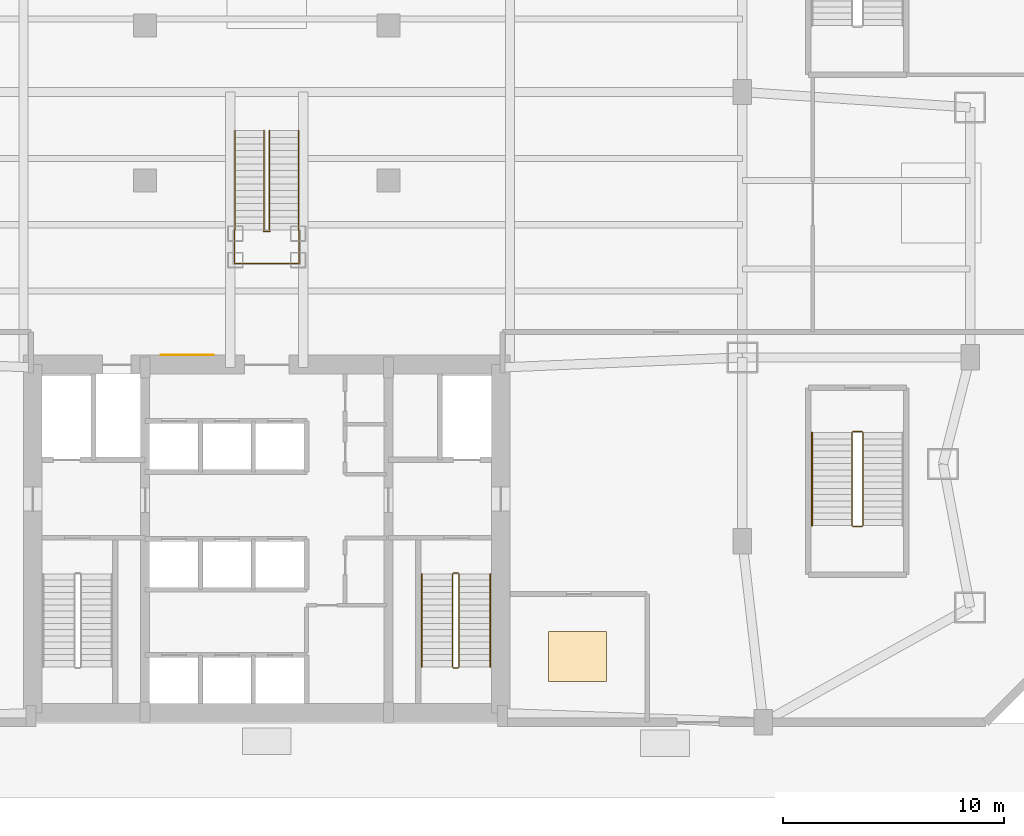
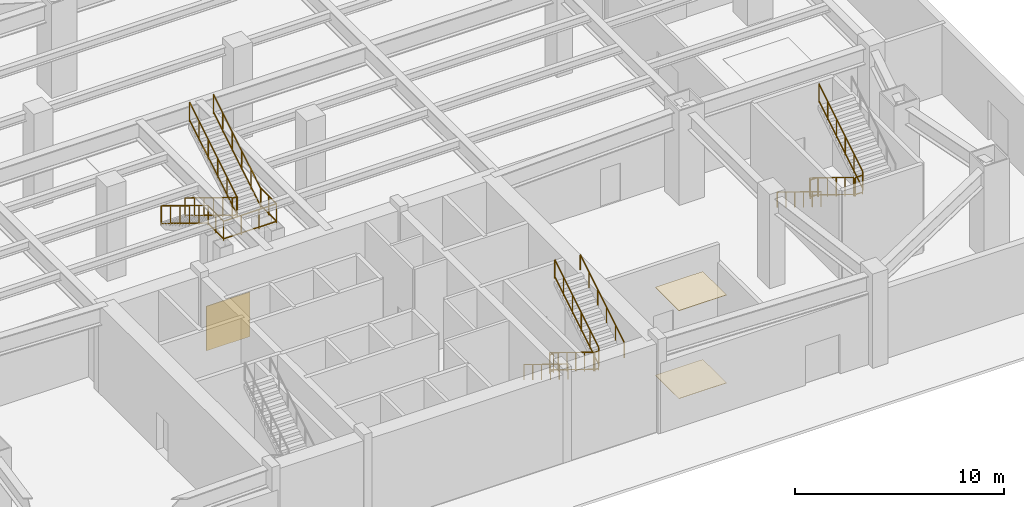
# One storey, part 10 of 11: 17 railings, 3 coverings.
"""IFC4 building model written with IfcOpenShell, lengths in metres."""

from ifc_helpers import new_model, si_unit, direction, frame, origin, origin_2d, place, context, subcontext, project, spatial, rectangle, extrude, source, transform, mapped, material, layer, layer_set, type_object, type_shapes, element, save


model = new_model("IFC4")

# Units and contexts
model_context = context("Model", 3, precision=1e-05, world=origin(), true_north=direction((0.0, 1.0)))
body_context = subcontext(model_context, "Body", "Model", "MODEL_VIEW")
ifc_project = project(units=[si_unit("LENGTHUNIT", "METRE"), si_unit("AREAUNIT", "SQUARE_METRE"), si_unit("VOLUMEUNIT", "CUBIC_METRE"), si_unit("PLANEANGLEUNIT", "RADIAN"), si_unit("MASSUNIT", "GRAM", prefix="KILO")], contexts=[model_context])

# Site, building, storey
site_placement = place(None, origin())
site = spatial("IfcSite", under=ifc_project, at=site_placement, CompositionType="ELEMENT")
building_placement = place(site_placement, origin())
building = spatial("IfcBuilding", under=site, at=building_placement, Name="Varnakhor Terracotta Tower", CompositionType="ELEMENT")
storey_placement = place(building_placement, origin())
storey = spatial("IfcBuildingStorey", under=building, at=storey_placement, Name="L00", CompositionType="ELEMENT", Elevation=0.0)

# Railings
ifc_material_1 = material(Name="Painted Steel Stairwell Guardrail", Category="steel")
railing_type_1 = type_object("IfcRailingType", Name="RLG-STAIR-GUARD-1120", PredefinedType="GUARDRAIL", material=ifc_material_1)
railing_1_placement = place(storey_placement, frame((8.39990234375, 6.7099609375, 0.171875)))
element("IfcRailing", 1, at=railing_1_placement, inside=storey, type_object=railing_type_1, Name="L00 ST-2 stair guard 1", PredefinedType="GUARDRAIL", context=body_context, shape_type="SweptSolid", body=[
    extrude(rectangle(XDim=0.048095703125, YDim=0.048095703125, at=origin_2d()), frame((0.0, 0.0, 1.09619140625), z_axis=(0.0, -0.852242915053, 0.523146264196), x_axis=(1.0, 0.0, 0.0)), (0.0, 0.0, 1.0), 4.92822265625),
    extrude(rectangle(XDim=0.048095703125, YDim=0.048095703125, at=origin_2d()), frame((0.0, 0.0, 0.10009765625), z_axis=(0.0, -0.852242915053, 0.523146264196), x_axis=(1.0, 0.0, 0.0)), (0.0, 0.0, 1.0), 4.92822265625),
    extrude(rectangle(XDim=0.0419921875, YDim=0.0419921875, at=origin_2d()), origin(), (0.0, 0.0, 1.0), 1.072021484375),
    extrude(rectangle(XDim=0.0419921875, YDim=0.0419921875, at=origin_2d()), frame((0.0, -0.840087890625, 0.515625)), (0.0, 0.0, 1.0), 1.072021484375),
    extrude(rectangle(XDim=0.0419921875, YDim=0.0419921875, at=origin_2d()), frame((0.0, -1.679931640625, 1.03125)), (0.0, 0.0, 1.0), 1.072021484375),
    extrude(rectangle(XDim=0.0419921875, YDim=0.0419921875, at=origin_2d()), frame((0.0, -2.52001953125, 1.546875)), (0.0, 0.0, 1.0), 1.072021484375),
    extrude(rectangle(XDim=0.0419921875, YDim=0.0419921875, at=origin_2d()), frame((0.0, -3.35986328125, 2.0625)), (0.0, 0.0, 1.0), 1.072021484375),
    extrude(rectangle(XDim=0.0419921875, YDim=0.0419921875, at=origin_2d()), frame((0.0, -4.199951171875, 2.578125)), (0.0, 0.0, 1.0), 1.072021484375),
])
railing_2_placement = place(storey_placement, frame((8.449951171875, 2.4599609375, 2.75)))
element("IfcRailing", 2, at=railing_2_placement, inside=storey, type_object=railing_type_1, Name="L00 ST-2 stair guard 2", PredefinedType="GUARDRAIL", context=body_context, shape_type="SweptSolid", body=[
    extrude(rectangle(XDim=0.048095703125, YDim=0.048095703125, at=origin_2d()), frame((0.0, 0.0, 1.09619140625), z_axis=(1.0, 0.0, 0.0), x_axis=(0.0, 1.0, 0.0)), (0.0, 0.0, 1.0), 0.199951171875),
    extrude(rectangle(XDim=0.048095703125, YDim=0.048095703125, at=origin_2d()), frame((0.0, 0.0, 0.10009765625), z_axis=(1.0, 0.0, 0.0), x_axis=(0.0, 1.0, 0.0)), (0.0, 0.0, 1.0), 0.199951171875),
    extrude(rectangle(XDim=0.0419921875, YDim=0.0419921875, at=origin_2d()), origin(), (0.0, 0.0, 1.0), 1.072021484375),
    extrude(rectangle(XDim=0.0419921875, YDim=0.0419921875, at=origin_2d()), frame((0.199951171875, 0.0, 0.0)), (0.0, 0.0, 1.0), 1.072021484375),
])
railing_3_placement = place(storey_placement, frame((8.699951171875, 2.510009765625, 2.921875)))
element("IfcRailing", 3, at=railing_3_placement, inside=storey, type_object=railing_type_1, Name="L00 ST-2 stair guard 3", PredefinedType="GUARDRAIL", context=body_context, shape_type="SweptSolid", body=[
    extrude(rectangle(XDim=0.048095703125, YDim=0.048095703125, at=origin_2d()), frame((0.0, 0.0, 1.09619140625), z_axis=(0.0, 0.852242915053, 0.523146264196), x_axis=(-1.0, 0.0, 0.0)), (0.0, 0.0, 1.0), 4.92822265625),
    extrude(rectangle(XDim=0.048095703125, YDim=0.048095703125, at=origin_2d()), frame((0.0, 0.0, 0.10009765625), z_axis=(0.0, 0.852242915053, 0.523146264196), x_axis=(-1.0, 0.0, 0.0)), (0.0, 0.0, 1.0), 4.92822265625),
    extrude(rectangle(XDim=0.0419921875, YDim=0.0419921875, at=origin_2d()), origin(), (0.0, 0.0, 1.0), 1.072021484375),
    extrude(rectangle(XDim=0.0419921875, YDim=0.0419921875, at=origin_2d()), frame((0.0, 0.840087890625, 0.515625)), (0.0, 0.0, 1.0), 1.072021484375),
    extrude(rectangle(XDim=0.0419921875, YDim=0.0419921875, at=origin_2d()), frame((0.0, 1.679931640625, 1.03125)), (0.0, 0.0, 1.0), 1.072021484375),
    extrude(rectangle(XDim=0.0419921875, YDim=0.0419921875, at=origin_2d()), frame((0.0, 2.52001953125, 1.546875)), (0.0, 0.0, 1.0), 1.072021484375),
    extrude(rectangle(XDim=0.0419921875, YDim=0.0419921875, at=origin_2d()), frame((0.0, 3.35986328125, 2.0625)), (0.0, 0.0, 1.0), 1.072021484375),
    extrude(rectangle(XDim=0.0419921875, YDim=0.0419921875, at=origin_2d()), frame((0.0, 4.199951171875, 2.578125)), (0.0, 0.0, 1.0), 1.072021484375),
])
railing_4_placement = place(storey_placement, frame((8.449951171875, 6.760009765625, 0.0)))
element("IfcRailing", 4, at=railing_4_placement, inside=storey, type_object=railing_type_1, Name="L00 ST-2 stair guard 4", PredefinedType="GUARDRAIL", context=body_context, shape_type="SweptSolid", body=[
    extrude(rectangle(XDim=0.048095703125, YDim=0.048095703125, at=origin_2d()), frame((0.0, 0.0, 1.09619140625), z_axis=(1.0, 0.0, 0.0), x_axis=(0.0, 1.0, 0.0)), (0.0, 0.0, 1.0), 0.199951171875),
    extrude(rectangle(XDim=0.048095703125, YDim=0.048095703125, at=origin_2d()), frame((0.0, 0.0, 0.10009765625), z_axis=(1.0, 0.0, 0.0), x_axis=(0.0, 1.0, 0.0)), (0.0, 0.0, 1.0), 0.199951171875),
    extrude(rectangle(XDim=0.0419921875, YDim=0.0419921875, at=origin_2d()), origin(), (0.0, 0.0, 1.0), 1.072021484375),
    extrude(rectangle(XDim=0.0419921875, YDim=0.0419921875, at=origin_2d()), frame((0.199951171875, 0.0, 0.0)), (0.0, 0.0, 1.0), 1.072021484375),
])
railing_5_placement = place(storey_placement, frame((26.449951171875, 13.10009765625, 0.171875)))
element("IfcRailing", 5, at=railing_5_placement, inside=storey, type_object=railing_type_1, Name="L00 ST-P2 stair guard 1", PredefinedType="GUARDRAIL", context=body_context, shape_type="SweptSolid", body=[
    extrude(rectangle(XDim=0.048095703125, YDim=0.048095703125, at=origin_2d()), frame((0.0, 0.0, 1.09619140625), z_axis=(0.0, -0.852256472501, 0.523124177495), x_axis=(1.0, 0.0, 0.0)), (0.0, 0.0, 1.0), 4.92822265625),
    extrude(rectangle(XDim=0.048095703125, YDim=0.048095703125, at=origin_2d()), frame((0.0, 0.0, 0.10009765625), z_axis=(0.0, -0.852256472501, 0.523124177495), x_axis=(1.0, 0.0, 0.0)), (0.0, 0.0, 1.0), 4.92822265625),
    extrude(rectangle(XDim=0.0419921875, YDim=0.0419921875, at=origin_2d()), origin(), (0.0, 0.0, 1.0), 1.072021484375),
    extrude(rectangle(XDim=0.0419921875, YDim=0.0419921875, at=origin_2d()), frame((0.0, -0.840087890625, 0.515625)), (0.0, 0.0, 1.0), 1.072021484375),
    extrude(rectangle(XDim=0.0419921875, YDim=0.0419921875, at=origin_2d()), frame((0.0, -1.68017578125, 1.03125)), (0.0, 0.0, 1.0), 1.072021484375),
    extrude(rectangle(XDim=0.0419921875, YDim=0.0419921875, at=origin_2d()), frame((0.0, -2.52001953125, 1.546875)), (0.0, 0.0, 1.0), 1.072021484375),
    extrude(rectangle(XDim=0.0419921875, YDim=0.0419921875, at=origin_2d()), frame((0.0, -3.360107421875, 2.0625)), (0.0, 0.0, 1.0), 1.072021484375),
    extrude(rectangle(XDim=0.0419921875, YDim=0.0419921875, at=origin_2d()), frame((0.0, -4.2001953125, 2.578125)), (0.0, 0.0, 1.0), 1.072021484375),
])
railing_6_placement = place(storey_placement, frame((26.5, 8.85009765625, 2.75)))
element("IfcRailing", 6, at=railing_6_placement, inside=storey, type_object=railing_type_1, Name="L00 ST-P2 stair guard 2", PredefinedType="GUARDRAIL", context=body_context, shape_type="SweptSolid", body=[
    extrude(rectangle(XDim=0.048095703125, YDim=0.048095703125, at=origin_2d()), frame((0.0, 0.0, 1.09619140625), z_axis=(1.0, 0.0, 0.0), x_axis=(0.0, 1.0, 0.0)), (0.0, 0.0, 1.0), 0.39990234375),
    extrude(rectangle(XDim=0.048095703125, YDim=0.048095703125, at=origin_2d()), frame((0.0, 0.0, 0.10009765625), z_axis=(1.0, 0.0, 0.0), x_axis=(0.0, 1.0, 0.0)), (0.0, 0.0, 1.0), 0.39990234375),
    extrude(rectangle(XDim=0.0419921875, YDim=0.0419921875, at=origin_2d()), origin(), (0.0, 0.0, 1.0), 1.072021484375),
    extrude(rectangle(XDim=0.0419921875, YDim=0.0419921875, at=origin_2d()), frame((0.39990234375, 0.0, 0.0)), (0.0, 0.0, 1.0), 1.072021484375),
])
railing_7_placement = place(storey_placement, frame((26.949951171875, 8.89990234375, 2.921875)))
element("IfcRailing", 7, at=railing_7_placement, inside=storey, type_object=railing_type_1, Name="L00 ST-P2 stair guard 3", PredefinedType="GUARDRAIL", context=body_context, shape_type="SweptSolid", body=[
    extrude(rectangle(XDim=0.048095703125, YDim=0.048095703125, at=origin_2d()), frame((0.0, 0.0, 1.09619140625), z_axis=(0.0, 0.852256472501, 0.523124177495), x_axis=(-1.0, 0.0, 0.0)), (0.0, 0.0, 1.0), 4.92822265625),
    extrude(rectangle(XDim=0.048095703125, YDim=0.048095703125, at=origin_2d()), frame((0.0, 0.0, 0.10009765625), z_axis=(0.0, 0.852256472501, 0.523124177495), x_axis=(-1.0, 0.0, 0.0)), (0.0, 0.0, 1.0), 4.92822265625),
    extrude(rectangle(XDim=0.0419921875, YDim=0.0419921875, at=origin_2d()), origin(), (0.0, 0.0, 1.0), 1.072021484375),
    extrude(rectangle(XDim=0.0419921875, YDim=0.0419921875, at=origin_2d()), frame((0.0, 0.840087890625, 0.515625)), (0.0, 0.0, 1.0), 1.072021484375),
    extrude(rectangle(XDim=0.0419921875, YDim=0.0419921875, at=origin_2d()), frame((0.0, 1.68017578125, 1.03125)), (0.0, 0.0, 1.0), 1.072021484375),
    extrude(rectangle(XDim=0.0419921875, YDim=0.0419921875, at=origin_2d()), frame((0.0, 2.52001953125, 1.546875)), (0.0, 0.0, 1.0), 1.072021484375),
    extrude(rectangle(XDim=0.0419921875, YDim=0.0419921875, at=origin_2d()), frame((0.0, 3.360107421875, 2.0625)), (0.0, 0.0, 1.0), 1.072021484375),
    extrude(rectangle(XDim=0.0419921875, YDim=0.0419921875, at=origin_2d()), frame((0.0, 4.2001953125, 2.578125)), (0.0, 0.0, 1.0), 1.072021484375),
])
railing_8_placement = place(storey_placement, frame((26.5, 13.14990234375, 0.0)))
element("IfcRailing", 8, at=railing_8_placement, inside=storey, type_object=railing_type_1, Name="L00 ST-P2 stair guard 4", PredefinedType="GUARDRAIL", context=body_context, shape_type="SweptSolid", body=[
    extrude(rectangle(XDim=0.048095703125, YDim=0.048095703125, at=origin_2d()), frame((0.0, 0.0, 1.09619140625), z_axis=(1.0, 0.0, 0.0), x_axis=(0.0, 1.0, 0.0)), (0.0, 0.0, 1.0), 0.39990234375),
    extrude(rectangle(XDim=0.048095703125, YDim=0.048095703125, at=origin_2d()), frame((0.0, 0.0, 0.10009765625), z_axis=(1.0, 0.0, 0.0), x_axis=(0.0, 1.0, 0.0)), (0.0, 0.0, 1.0), 0.39990234375),
    extrude(rectangle(XDim=0.0419921875, YDim=0.0419921875, at=origin_2d()), origin(), (0.0, 0.0, 1.0), 1.072021484375),
    extrude(rectangle(XDim=0.0419921875, YDim=0.0419921875, at=origin_2d()), frame((0.39990234375, 0.0, 0.0)), (0.0, 0.0, 1.0), 1.072021484375),
])
for number, where, name in (
    (9, (-1.43994140625, 26.75, 0.0), "Feature Stair ST-F1 Guard 1"),
    (10, (-0.1201171875, 26.75, 0.0), "Feature Stair ST-F1 Guard 2"),
):
    element("IfcRailing", number, at=place(storey_placement, frame(where)), inside=storey, type_object=railing_type_1, Name=name, PredefinedType="GUARDRAIL", context=body_context, shape_type="SweptSolid", body=[
        extrude(rectangle(XDim=0.048095703125, YDim=0.048095703125, at=origin_2d()), frame((0.0, 0.0, 1.1259765625), z_axis=(0.0, -0.853281833652, 0.521450009454), x_axis=(1.0, 0.0, 0.0)), (0.0, 0.0, 1.0), 5.273681640625),
        extrude(rectangle(XDim=0.048095703125, YDim=0.048095703125, at=origin_2d()), frame((0.0, 0.0, 0.10009765625), z_axis=(0.0, -0.853281833652, 0.521450009454), x_axis=(1.0, 0.0, 0.0)), (0.0, 0.0, 1.0), 5.273681640625),
        extrude(rectangle(XDim=0.0419921875, YDim=0.0419921875, at=origin_2d()), origin(), (0.0, 0.0, 1.0), 1.101806640625),
        extrude(rectangle(XDim=0.0419921875, YDim=0.0419921875, at=origin_2d()), frame((0.0, -0.89990234375, 0.550048828125)), (0.0, 0.0, 1.0), 1.101806640625),
        extrude(rectangle(XDim=0.0419921875, YDim=0.0419921875, at=origin_2d()), frame((0.0, -1.800048828125, 1.10009765625)), (0.0, 0.0, 1.0), 1.101806640625),
        extrude(rectangle(XDim=0.0419921875, YDim=0.0419921875, at=origin_2d()), frame((0.0, -2.699951171875, 1.64990234375)), (0.0, 0.0, 1.0), 1.101806640625),
        extrude(rectangle(XDim=0.0419921875, YDim=0.0419921875, at=origin_2d()), frame((0.0, -3.60009765625, 2.199951171875)), (0.0, 0.0, 1.0), 1.101806640625),
        extrude(rectangle(XDim=0.0419921875, YDim=0.0419921875, at=origin_2d()), frame((0.0, -4.5, 2.75)), (0.0, 0.0, 1.0), 1.101806640625),
    ])
for number, where, name in (
    (11, (0.1201171875, 22.25, 2.75), "Feature Stair ST-F1 Guard 3"),
    (12, (1.43994140625, 22.25, 2.75), "Feature Stair ST-F1 Guard 4"),
):
    element("IfcRailing", number, at=place(storey_placement, frame(where)), inside=storey, type_object=railing_type_1, Name=name, PredefinedType="GUARDRAIL", context=body_context, shape_type="SweptSolid", body=[
        extrude(rectangle(XDim=0.048095703125, YDim=0.048095703125, at=origin_2d()), frame((0.0, 0.0, 1.1259765625), z_axis=(0.0, 0.853281833652, 0.521450009454), x_axis=(-1.0, 0.0, 0.0)), (0.0, 0.0, 1.0), 5.273681640625),
        extrude(rectangle(XDim=0.048095703125, YDim=0.048095703125, at=origin_2d()), frame((0.0, 0.0, 0.10009765625), z_axis=(0.0, 0.853281833652, 0.521450009454), x_axis=(-1.0, 0.0, 0.0)), (0.0, 0.0, 1.0), 5.273681640625),
        extrude(rectangle(XDim=0.0419921875, YDim=0.0419921875, at=origin_2d()), origin(), (0.0, 0.0, 1.0), 1.101806640625),
        extrude(rectangle(XDim=0.0419921875, YDim=0.0419921875, at=origin_2d()), frame((0.0, 0.89990234375, 0.550048828125)), (0.0, 0.0, 1.0), 1.101806640625),
        extrude(rectangle(XDim=0.0419921875, YDim=0.0419921875, at=origin_2d()), frame((0.0, 1.800048828125, 1.10009765625)), (0.0, 0.0, 1.0), 1.101806640625),
        extrude(rectangle(XDim=0.0419921875, YDim=0.0419921875, at=origin_2d()), frame((0.0, 2.699951171875, 1.64990234375)), (0.0, 0.0, 1.0), 1.101806640625),
        extrude(rectangle(XDim=0.0419921875, YDim=0.0419921875, at=origin_2d()), frame((0.0, 3.60009765625, 2.199951171875)), (0.0, 0.0, 1.0), 1.101806640625),
        extrude(rectangle(XDim=0.0419921875, YDim=0.0419921875, at=origin_2d()), frame((0.0, 4.5, 2.75)), (0.0, 0.0, 1.0), 1.101806640625),
    ])
railing_9_placement = place(storey_placement, frame((-1.4599609375, 22.25, 2.75)))
element("IfcRailing", 13, at=railing_9_placement, inside=storey, type_object=railing_type_1, Name="Feature Stair ST-F1 Guard 5", PredefinedType="GUARDRAIL", context=body_context, shape_type="SweptSolid", body=[
    extrude(rectangle(XDim=0.048095703125, YDim=0.048095703125, at=origin_2d()), frame((0.0, 0.0, 1.1259765625), z_axis=(0.0, -1.0, 0.0), x_axis=(1.0, 0.0, 0.0)), (0.0, 0.0, 1.0), 1.5),
    extrude(rectangle(XDim=0.048095703125, YDim=0.048095703125, at=origin_2d()), frame((0.0, 0.0, 0.10009765625), z_axis=(0.0, -1.0, 0.0), x_axis=(1.0, 0.0, 0.0)), (0.0, 0.0, 1.0), 1.5),
    extrude(rectangle(XDim=0.048095703125, YDim=0.048095703125, at=origin_2d()), frame((0.0, -1.5, 1.1259765625), z_axis=(1.0, 0.0, 0.0), x_axis=(0.0, 1.0, 0.0)), (0.0, 0.0, 1.0), 2.919921875),
    extrude(rectangle(XDim=0.048095703125, YDim=0.048095703125, at=origin_2d()), frame((0.0, -1.5, 0.10009765625), z_axis=(1.0, 0.0, 0.0), x_axis=(0.0, 1.0, 0.0)), (0.0, 0.0, 1.0), 2.919921875),
    extrude(rectangle(XDim=0.048095703125, YDim=0.048095703125, at=origin_2d()), frame((2.919921875, -1.5, 1.1259765625), z_axis=(0.0, 1.0, 0.0), x_axis=(-1.0, 0.0, 0.0)), (0.0, 0.0, 1.0), 1.5),
    extrude(rectangle(XDim=0.048095703125, YDim=0.048095703125, at=origin_2d()), frame((2.919921875, -1.5, 0.10009765625), z_axis=(0.0, 1.0, 0.0), x_axis=(-1.0, 0.0, 0.0)), (0.0, 0.0, 1.0), 1.5),
    extrude(rectangle(XDim=0.0419921875, YDim=0.0419921875, at=origin_2d()), origin(), (0.0, 0.0, 1.0), 1.101806640625),
    extrude(rectangle(XDim=0.0419921875, YDim=0.0419921875, at=origin_2d()), frame((0.0, -0.75, 0.0)), (0.0, 0.0, 1.0), 1.101806640625),
    extrude(rectangle(XDim=0.0419921875, YDim=0.0419921875, at=origin_2d()), frame((0.0, -1.5, 0.0)), (0.0, 0.0, 1.0), 1.101806640625),
    extrude(rectangle(XDim=0.0419921875, YDim=0.0419921875, at=origin_2d()), frame((0.973388671875, -1.5, 0.0)), (0.0, 0.0, 1.0), 1.101806640625),
    extrude(rectangle(XDim=0.0419921875, YDim=0.0419921875, at=origin_2d()), frame((1.946533203125, -1.5, 0.0)), (0.0, 0.0, 1.0), 1.101806640625),
    extrude(rectangle(XDim=0.0419921875, YDim=0.0419921875, at=origin_2d()), frame((2.919921875, -1.5, 0.0)), (0.0, 0.0, 1.0), 1.101806640625),
    extrude(rectangle(XDim=0.0419921875, YDim=0.0419921875, at=origin_2d()), frame((2.919921875, -0.75, 0.0)), (0.0, 0.0, 1.0), 1.101806640625),
    extrude(rectangle(XDim=0.0419921875, YDim=0.0419921875, at=origin_2d()), frame((2.919921875, 0.0, 0.0)), (0.0, 0.0, 1.0), 1.101806640625),
])
railing_10_placement = place(storey_placement, frame((-0.139892578125, 22.199951171875, 2.75)))
element("IfcRailing", 14, at=railing_10_placement, inside=storey, type_object=railing_type_1, Name="Feature Stair ST-F1 Guard 6", PredefinedType="GUARDRAIL", context=body_context, shape_type="SweptSolid", body=[
    extrude(rectangle(XDim=0.048095703125, YDim=0.048095703125, at=origin_2d()), frame((0.0, 0.0, 1.1259765625), z_axis=(1.0, 0.0, 0.0), x_axis=(0.0, 1.0, 0.0)), (0.0, 0.0, 1.0), 0.27978515625),
    extrude(rectangle(XDim=0.048095703125, YDim=0.048095703125, at=origin_2d()), frame((0.0, 0.0, 0.10009765625), z_axis=(1.0, 0.0, 0.0), x_axis=(0.0, 1.0, 0.0)), (0.0, 0.0, 1.0), 0.27978515625),
    extrude(rectangle(XDim=0.0419921875, YDim=0.0419921875, at=origin_2d()), origin(), (0.0, 0.0, 1.0), 1.101806640625),
    extrude(rectangle(XDim=0.0419921875, YDim=0.0419921875, at=origin_2d()), frame((0.27978515625, 0.0, 0.0)), (0.0, 0.0, 1.0), 1.101806640625),
])
ifc_material_2 = material(Name="Brushed Stainless Steel Handrail", Category="steel")
railing_type_2 = type_object("IfcRailingType", Name="RLG-STAIR-HANDRAIL-920", PredefinedType="HANDRAIL", material=ifc_material_2)
railing_11_placement = place(storey_placement, frame((7.0, 6.7099609375, 0.171875)))
element("IfcRailing", 15, at=railing_11_placement, inside=storey, type_object=railing_type_2, Name="L00 ST-2 stair handrail 1", PredefinedType="HANDRAIL", context=body_context, shape_type="SweptSolid", body=[
    extrude(rectangle(XDim=0.048095703125, YDim=0.048095703125, at=origin_2d()), frame((0.0, 0.0, 0.89599609375), z_axis=(0.0, -0.852242915053, 0.523146264196), x_axis=(1.0, 0.0, 0.0)), (0.0, 0.0, 1.0), 4.92822265625),
    extrude(rectangle(XDim=0.0419921875, YDim=0.0419921875, at=origin_2d()), origin(), (0.0, 0.0, 1.0), 0.871826171875),
    extrude(rectangle(XDim=0.0419921875, YDim=0.0419921875, at=origin_2d()), frame((0.0, -0.840087890625, 0.515625)), (0.0, 0.0, 1.0), 0.871826171875),
    extrude(rectangle(XDim=0.0419921875, YDim=0.0419921875, at=origin_2d()), frame((0.0, -1.679931640625, 1.03125)), (0.0, 0.0, 1.0), 0.871826171875),
    extrude(rectangle(XDim=0.0419921875, YDim=0.0419921875, at=origin_2d()), frame((0.0, -2.52001953125, 1.546875)), (0.0, 0.0, 1.0), 0.871826171875),
    extrude(rectangle(XDim=0.0419921875, YDim=0.0419921875, at=origin_2d()), frame((0.0, -3.35986328125, 2.0625)), (0.0, 0.0, 1.0), 0.871826171875),
    extrude(rectangle(XDim=0.0419921875, YDim=0.0419921875, at=origin_2d()), frame((0.0, -4.199951171875, 2.578125)), (0.0, 0.0, 1.0), 0.871826171875),
])
railing_12_placement = place(storey_placement, frame((10.10009765625, 2.510009765625, 2.921875)))
element("IfcRailing", 16, at=railing_12_placement, inside=storey, type_object=railing_type_2, Name="L00 ST-2 stair handrail 2", PredefinedType="HANDRAIL", context=body_context, shape_type="SweptSolid", body=[
    extrude(rectangle(XDim=0.048095703125, YDim=0.048095703125, at=origin_2d()), frame((0.0, 0.0, 0.89599609375), z_axis=(0.0, 0.852242915053, 0.523146264196), x_axis=(-1.0, 0.0, 0.0)), (0.0, 0.0, 1.0), 4.92822265625),
    extrude(rectangle(XDim=0.0419921875, YDim=0.0419921875, at=origin_2d()), origin(), (0.0, 0.0, 1.0), 0.871826171875),
    extrude(rectangle(XDim=0.0419921875, YDim=0.0419921875, at=origin_2d()), frame((0.0, 0.840087890625, 0.515625)), (0.0, 0.0, 1.0), 0.871826171875),
    extrude(rectangle(XDim=0.0419921875, YDim=0.0419921875, at=origin_2d()), frame((0.0, 1.679931640625, 1.03125)), (0.0, 0.0, 1.0), 0.871826171875),
    extrude(rectangle(XDim=0.0419921875, YDim=0.0419921875, at=origin_2d()), frame((0.0, 2.52001953125, 1.546875)), (0.0, 0.0, 1.0), 0.871826171875),
    extrude(rectangle(XDim=0.0419921875, YDim=0.0419921875, at=origin_2d()), frame((0.0, 3.35986328125, 2.0625)), (0.0, 0.0, 1.0), 0.871826171875),
    extrude(rectangle(XDim=0.0419921875, YDim=0.0419921875, at=origin_2d()), frame((0.0, 4.199951171875, 2.578125)), (0.0, 0.0, 1.0), 0.871826171875),
])
railing_13_placement = place(storey_placement, frame((24.64990234375, 13.10009765625, 0.171875)))
element("IfcRailing", 17, at=railing_13_placement, inside=storey, type_object=railing_type_2, Name="L00 ST-P2 stair handrail 1", PredefinedType="HANDRAIL", context=body_context, shape_type="SweptSolid", body=[
    extrude(rectangle(XDim=0.048095703125, YDim=0.048095703125, at=origin_2d()), frame((0.0, 0.0, 0.89599609375), z_axis=(0.0, -0.852256472501, 0.523124177495), x_axis=(1.0, 0.0, 0.0)), (0.0, 0.0, 1.0), 4.92822265625),
    extrude(rectangle(XDim=0.0419921875, YDim=0.0419921875, at=origin_2d()), origin(), (0.0, 0.0, 1.0), 0.871826171875),
    extrude(rectangle(XDim=0.0419921875, YDim=0.0419921875, at=origin_2d()), frame((0.0, -0.840087890625, 0.515625)), (0.0, 0.0, 1.0), 0.871826171875),
    extrude(rectangle(XDim=0.0419921875, YDim=0.0419921875, at=origin_2d()), frame((0.0, -1.68017578125, 1.03125)), (0.0, 0.0, 1.0), 0.871826171875),
    extrude(rectangle(XDim=0.0419921875, YDim=0.0419921875, at=origin_2d()), frame((0.0, -2.52001953125, 1.546875)), (0.0, 0.0, 1.0), 0.871826171875),
    extrude(rectangle(XDim=0.0419921875, YDim=0.0419921875, at=origin_2d()), frame((0.0, -3.360107421875, 2.0625)), (0.0, 0.0, 1.0), 0.871826171875),
    extrude(rectangle(XDim=0.0419921875, YDim=0.0419921875, at=origin_2d()), frame((0.0, -4.2001953125, 2.578125)), (0.0, 0.0, 1.0), 0.871826171875),
])

# Coverings
ifc_material_3 = material(Name="Extruded Architectural Terracotta Cladding", Category="masonry")
ifc_layer_1 = layer(ifc_material_3, 0.044921875, Name="Extruded Architectural Terracotta Cladding")
ifc_layer_set_1 = layer_set([ifc_layer_1], Name="Extruded Architectural Terracotta Cladding")
covering_type_1 = type_object("IfcCoveringType", Name="COV-CLAD-TERRACOTTA", PredefinedType="CLADDING", material=ifc_layer_set_1)
shared_shape_1 = source(origin(), body_context, "Body", "SweptSolid", [
    extrude(rectangle(XDim=2.39990234375, YDim=0.030029296875, at=origin_2d()), origin(), (0.0, 0.0, 1.0), 2.60009765625),
])
type_shapes(covering_type_1, [shared_shape_1])
covering_1_placement = place(storey_placement, frame((-3.60009765625, 16.612060546875, 0.0), z_axis=(0.0, 0.0, 1.0), x_axis=(1.0, 0.0, 0.0)))
element("IfcCovering", 18, at=covering_1_placement, inside=storey, type_object=covering_type_1, Name="L00 Core Lobby Limestone Cladding", PredefinedType="CLADDING", context=body_context, shape_type="MappedRepresentation", body=[
    mapped(shared_shape_1, transform((0.0, 0.0, 0.0), scale=1.0)),
])
ifc_material_4 = material(Name="Honed Riyadh Limestone Flooring", Category="masonry")
ifc_layer_2 = layer(ifc_material_4, 0.030029296875, Name="Honed Riyadh Limestone Flooring")
ifc_layer_set_2 = layer_set([ifc_layer_2], Name="Honed Riyadh Limestone Flooring")
covering_type_2 = type_object("IfcCoveringType", Name="COV-FLOOR-LIMESTONE", PredefinedType="FLOORING", material=ifc_layer_set_2)
shared_shape_2 = source(origin(), body_context, "Body", "SweptSolid", [
    extrude(rectangle(XDim=2.6201171875, YDim=2.257080078125, at=origin_2d()), origin(), (0.0, 0.0, 1.0), 0.02001953125),
])
covering_2_placement = place(storey_placement, frame((14.052001953125, 2.98193359375, 0.0), z_axis=(0.0, 0.0, 1.0), x_axis=(1.0, 0.0, 0.0)))
element("IfcCovering", 19, at=covering_2_placement, inside=storey, type_object=covering_type_2, Name="L00 Honed Stone Flooring 1", PredefinedType="FLOORING", context=body_context, shape_type="MappedRepresentation", body=[
    mapped(shared_shape_2, transform((0.0, 0.0, 0.0), scale=1.0)),
])
ifc_material_5 = material(Name="Perforated Acoustic Mineral-Fibre Ceiling", Category="gypsum")
ifc_layer_3 = layer(ifc_material_5, 0.02490234375, Name="Perforated Acoustic Mineral-Fibre Ceiling")
ifc_layer_set_3 = layer_set([ifc_layer_3], Name="Perforated Acoustic Mineral-Fibre Ceiling")
covering_type_3 = type_object("IfcCoveringType", Name="COV-CEILING-ACOUSTIC", PredefinedType="CEILING", material=ifc_layer_set_3)
shared_shape_3 = source(origin(), body_context, "Body", "SweptSolid", [
    extrude(rectangle(XDim=2.6201171875, YDim=2.257080078125, at=origin_2d()), origin(), (0.0, 0.0, 1.0), 0.02392578125),
])
type_shapes(covering_type_3, [shared_shape_3])
covering_3_placement = place(storey_placement, frame((14.052001953125, 2.98193359375, 5.1259765625), z_axis=(0.0, 0.0, 1.0), x_axis=(1.0, 0.0, 0.0)))
element("IfcCovering", 20, at=covering_3_placement, inside=storey, type_object=covering_type_3, Name="L00 Acoustic Ceiling Panel 1", PredefinedType="CEILING", context=body_context, shape_type="MappedRepresentation", body=[
    mapped(shared_shape_3, transform((0.0, 0.0, 0.0), scale=1.0)),
])

save(model, "model.ifc")
